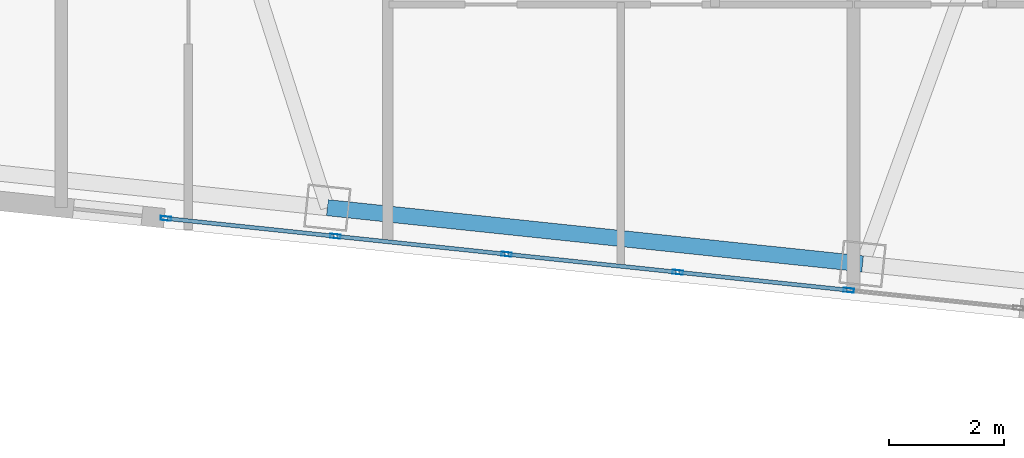
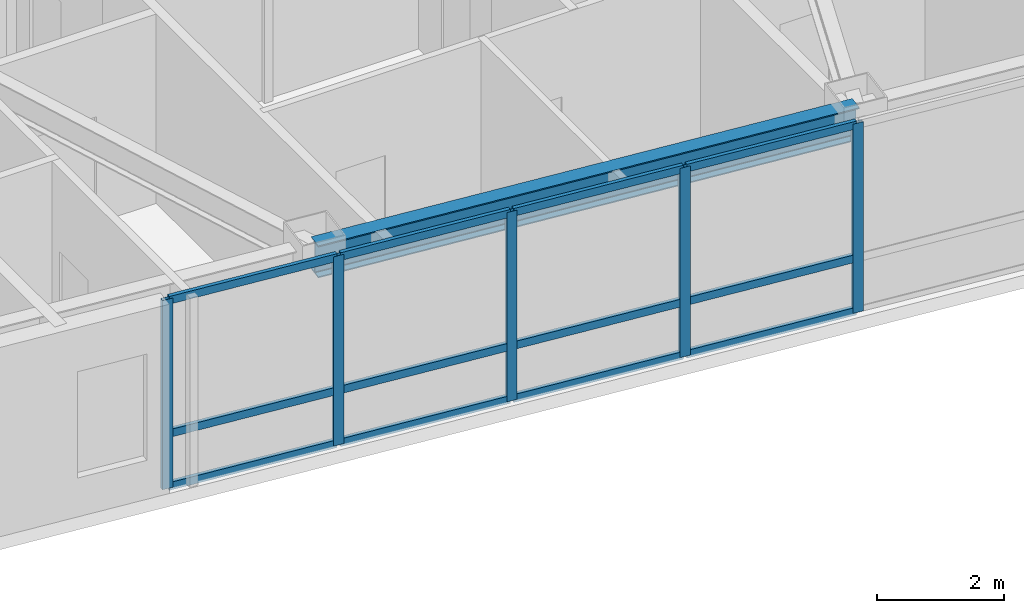
# One storey, part 2 of 23: 17 members, 1 beam, 1 element without a shape of its own.
"""IFC4 building model written with IfcOpenShell, lengths in metres."""

from ifc_helpers import new_model, si_unit, direction, frame, origin, origin_2d, place, context, subcontext, project, spatial, hollow_rectangle, i_section, extrude, material, layer, layer_set, material_profile, profile_set, type_object, element, aggregate, save


model = new_model("IFC4")

# Units and contexts
model_context = context("Model", 3, precision=1e-05, world=origin(), true_north=direction((0.0, 1.0)))
body_context = subcontext(model_context, "Body", "Model", "MODEL_VIEW")
ifc_project = project(units=[si_unit("LENGTHUNIT", "METRE"), si_unit("AREAUNIT", "SQUARE_METRE"), si_unit("VOLUMEUNIT", "CUBIC_METRE"), si_unit("PLANEANGLEUNIT", "RADIAN"), si_unit("MASSUNIT", "GRAM", prefix="KILO")], contexts=[model_context])

# Site, building, storey
site_placement = place(None, origin())
site = spatial("IfcSite", under=ifc_project, at=site_placement, CompositionType="ELEMENT")
building_placement = place(site_placement, origin())
building = spatial("IfcBuilding", under=site, at=building_placement, Name="Voryun Gate Residences", CompositionType="ELEMENT")
storey_placement = place(building_placement, frame((0.0, 0.0, 275.60009765625)))
storey = spatial("IfcBuildingStorey", under=building, at=storey_placement, Name="L68", CompositionType="ELEMENT", Elevation=275.60009765625)

# Beam
ifc_material_1 = material(Name="Steel SM355", Category="steel")
ifc_material_profile_1 = material_profile(ifc_material_1, i_section(OverallWidth=0.280029296875, OverallDepth=0.6201171875, WebThickness=0.013916015625, FlangeThickness=0.02197265625, FilletRadius=0.01806640625, at=origin_2d()), Name="H-620x280x14x22")
ifc_profile_set_1 = profile_set([ifc_material_profile_1], Name="Steel SM355")
beam_type = type_object("IfcBeamType", Name="BM_EXO_SPANDREL_H", PredefinedType="SPANDREL", material=ifc_profile_set_1)
beam_placement = place(storey_placement, frame((-9.151611328125, -17.561279296875, 3.33984375), z_axis=(0.994520592114, -0.104540862157, 0.0), x_axis=(0.104540862157, 0.994520592114, 0.0)))
element("IfcBeam", 1, at=beam_placement, inside=storey, type_object=beam_type, Name="BM-L68-SPAND-03", PredefinedType="SPANDREL", context=body_context, shape_type="SweptSolid", body=[
    extrude(i_section(OverallWidth=0.280029296875, OverallDepth=0.6201171875, WebThickness=0.013916015625, FlangeThickness=0.02197265625, FilletRadius=0.01806640625, at=origin_2d()), origin(), (0.0, 0.0, 1.0), 9.360107421875),
])

# Curtain wall, members
ifc_material_2 = material(Name="Anodised aluminium", Category="aluminium")
ifc_layer = layer(ifc_material_2, 0.18994140625, Name="CW_SYS_RES_B_DARK_GLASS")
ifc_layer_set = layer_set([ifc_layer], Name="Anodised aluminium")
curtain_wall_type = type_object("IfcCurtainWallType", Name="CW_SYS_RES_B_DARK_GLASS", PredefinedType="NOTDEFINED", material=ifc_layer_set)
curtain_wall_placement = place(storey_placement, origin())
curtain_wall = element("IfcCurtainWall", 2, at=curtain_wall_placement, inside=storey, type_object=curtain_wall_type, Name="Curtain wall CWT-L68-01", PredefinedType="NOTDEFINED")
ifc_material_3 = material(Name="Anodised aluminium", Category="aluminium")
ifc_material_profile_2 = material_profile(ifc_material_3, hollow_rectangle(XDim=0.070068359375, YDim=0.179931640625, WallThickness=0.00390625, at=origin_2d()), Name="ALU-MULL-180x70x4")
ifc_profile_set_2 = profile_set([ifc_material_profile_2], Name="Anodised aluminium")
member_type_1 = type_object("IfcMemberType", Name="CW_MULL_RES", PredefinedType="MULLION", material=ifc_profile_set_2)
member_1_placement = place(storey_placement, frame((-0.082275390625, -18.997314453125, 0.0), z_axis=(0.0, 0.0, 1.0), x_axis=(-0.104528604386, -0.994521880536, 0.0)))
member_1 = element("IfcMember", 3, at=member_1_placement, type_object=member_type_1, Name="CW4 mullion 2", PredefinedType="MULLION", context=body_context, shape_type="SweptSolid", body=[
    extrude(hollow_rectangle(XDim=0.070068359375, YDim=0.179931640625, WallThickness=0.00390625, at=origin_2d()), origin(), (0.0, 0.0, 1.0), 3.64990234375),
])
member_2_placement = place(storey_placement, frame((-3.05908203125, -18.684326171875, 0.0), z_axis=(0.0, 0.0, 1.0), x_axis=(-0.104528604386, -0.994521880536, 0.0)))
member_2 = element("IfcMember", 4, at=member_2_placement, type_object=member_type_1, Name="CW4 mullion 3", PredefinedType="MULLION", context=body_context, shape_type="SweptSolid", body=[
    extrude(hollow_rectangle(XDim=0.070068359375, YDim=0.179931640625, WallThickness=0.00390625, at=origin_2d()), origin(), (0.0, 0.0, 1.0), 3.64990234375),
])
member_3_placement = place(storey_placement, frame((-6.03564453125, -18.37158203125, 0.0), z_axis=(0.0, 0.0, 1.0), x_axis=(-0.104528604386, -0.994521880536, 0.0)))
member_3 = element("IfcMember", 5, at=member_3_placement, type_object=member_type_1, Name="CW4 mullion 4", PredefinedType="MULLION", context=body_context, shape_type="SweptSolid", body=[
    extrude(hollow_rectangle(XDim=0.070068359375, YDim=0.179931640625, WallThickness=0.00390625, at=origin_2d()), origin(), (0.0, 0.0, 1.0), 3.64990234375),
])
member_4_placement = place(storey_placement, frame((-9.012451171875, -18.05859375, 0.0), z_axis=(0.0, 0.0, 1.0), x_axis=(-0.104528604386, -0.994521880536, 0.0)))
member_4 = element("IfcMember", 6, at=member_4_placement, type_object=member_type_1, Name="CW4 mullion 5", PredefinedType="MULLION", context=body_context, shape_type="SweptSolid", body=[
    extrude(hollow_rectangle(XDim=0.070068359375, YDim=0.179931640625, WallThickness=0.00390625, at=origin_2d()), origin(), (0.0, 0.0, 1.0), 3.64990234375),
])
member_5_placement = place(storey_placement, frame((-11.959228515625, -17.7490234375, 0.0), z_axis=(0.0, 0.0, 1.0), x_axis=(-0.104528604386, -0.994521880536, 0.0)))
member_5 = element("IfcMember", 7, at=member_5_placement, type_object=member_type_1, Name="CW4 mullion 6", PredefinedType="MULLION", context=body_context, shape_type="SweptSolid", body=[
    extrude(hollow_rectangle(XDim=0.070068359375, YDim=0.179931640625, WallThickness=0.00390625, at=origin_2d()), origin(), (0.0, 0.0, 1.0), 3.64990234375),
])
ifc_material_4 = material(Name="Anodised aluminium", Category="aluminium")
ifc_material_profile_3 = material_profile(ifc_material_4, hollow_rectangle(XDim=0.070068359375, YDim=0.14990234375, WallThickness=0.00390625, at=origin_2d()), Name="ALU-TRAN-150x70x4")
ifc_profile_set_3 = profile_set([ifc_material_profile_3], Name="Anodised aluminium")
member_type_2 = type_object("IfcMemberType", Name="CW_TRAN_RES", PredefinedType="USERDEFINED", material=ifc_profile_set_3)
member_6_placement = place(storey_placement, frame((-0.1123046875, -18.994140625, 0.02978515625), z_axis=(-0.994520038301, 0.104546130575, 0.0), x_axis=(-0.104546130575, -0.994520038301, 0.0)))
member_6 = element("IfcMember", 8, at=member_6_placement, type_object=member_type_2, Name="CW4 transom 2.1", ObjectType="TRANSOM", PredefinedType="USERDEFINED", context=body_context, shape_type="SweptSolid", body=[
    extrude(hollow_rectangle(XDim=0.070068359375, YDim=0.14990234375, WallThickness=0.00390625, at=origin_2d()), origin(), (0.0, 0.0, 1.0), 2.93310546875),
])
member_7_placement = place(storey_placement, frame((-0.1123046875, -18.994140625, 1.0498046875), z_axis=(-0.994520038301, 0.104546130575, 0.0), x_axis=(-0.104546130575, -0.994520038301, 0.0)))
member_7 = element("IfcMember", 9, at=member_7_placement, type_object=member_type_2, Name="CW4 transom 2.2", ObjectType="TRANSOM", PredefinedType="USERDEFINED", context=body_context, shape_type="SweptSolid", body=[
    extrude(hollow_rectangle(XDim=0.070068359375, YDim=0.14990234375, WallThickness=0.00390625, at=origin_2d()), origin(), (0.0, 0.0, 1.0), 2.93310546875),
])
member_8_placement = place(storey_placement, frame((-0.1123046875, -18.994140625, 3.619873046875), z_axis=(-0.994520038301, 0.104546130575, 0.0), x_axis=(-0.104546130575, -0.994520038301, 0.0)))
member_8 = element("IfcMember", 10, at=member_8_placement, type_object=member_type_2, Name="CW4 transom 2.3", ObjectType="TRANSOM", PredefinedType="USERDEFINED", context=body_context, shape_type="SweptSolid", body=[
    extrude(hollow_rectangle(XDim=0.070068359375, YDim=0.14990234375, WallThickness=0.00390625, at=origin_2d()), origin(), (0.0, 0.0, 1.0), 2.93310546875),
])
member_9_placement = place(storey_placement, frame((-3.0888671875, -18.68115234375, 0.02978515625), z_axis=(-0.994528689425, 0.104463801911, 0.0), x_axis=(-0.104463801911, -0.994528689425, 0.0)))
member_9 = element("IfcMember", 11, at=member_9_placement, type_object=member_type_2, Name="CW4 transom 3.1", ObjectType="TRANSOM", PredefinedType="USERDEFINED", context=body_context, shape_type="SweptSolid", body=[
    extrude(hollow_rectangle(XDim=0.070068359375, YDim=0.14990234375, WallThickness=0.00390625, at=origin_2d()), origin(), (0.0, 0.0, 1.0), 2.93310546875),
])
member_10_placement = place(storey_placement, frame((-3.0888671875, -18.68115234375, 1.0498046875), z_axis=(-0.994528689425, 0.104463801911, 0.0), x_axis=(-0.104463801911, -0.994528689425, 0.0)))
member_10 = element("IfcMember", 12, at=member_10_placement, type_object=member_type_2, Name="CW4 transom 3.2", ObjectType="TRANSOM", PredefinedType="USERDEFINED", context=body_context, shape_type="SweptSolid", body=[
    extrude(hollow_rectangle(XDim=0.070068359375, YDim=0.14990234375, WallThickness=0.00390625, at=origin_2d()), origin(), (0.0, 0.0, 1.0), 2.93310546875),
])
member_11_placement = place(storey_placement, frame((-3.0888671875, -18.68115234375, 3.619873046875), z_axis=(-0.994528689425, 0.104463801911, 0.0), x_axis=(-0.104463801911, -0.994528689425, 0.0)))
member_11 = element("IfcMember", 13, at=member_11_placement, type_object=member_type_2, Name="CW4 transom 3.3", ObjectType="TRANSOM", PredefinedType="USERDEFINED", context=body_context, shape_type="SweptSolid", body=[
    extrude(hollow_rectangle(XDim=0.070068359375, YDim=0.14990234375, WallThickness=0.00390625, at=origin_2d()), origin(), (0.0, 0.0, 1.0), 2.93310546875),
])
member_12_placement = place(storey_placement, frame((-6.0654296875, -18.368408203125, 0.02978515625), z_axis=(-0.994520038301, 0.104546130575, 0.0), x_axis=(-0.104546130575, -0.994520038301, 0.0)))
member_12 = element("IfcMember", 14, at=member_12_placement, type_object=member_type_2, Name="CW4 transom 4.1", ObjectType="TRANSOM", PredefinedType="USERDEFINED", context=body_context, shape_type="SweptSolid", body=[
    extrude(hollow_rectangle(XDim=0.070068359375, YDim=0.14990234375, WallThickness=0.00390625, at=origin_2d()), origin(), (0.0, 0.0, 1.0), 2.93310546875),
])
member_13_placement = place(storey_placement, frame((-6.0654296875, -18.368408203125, 1.0498046875), z_axis=(-0.994520038301, 0.104546130575, 0.0), x_axis=(-0.104546130575, -0.994520038301, 0.0)))
member_13 = element("IfcMember", 15, at=member_13_placement, type_object=member_type_2, Name="CW4 transom 4.2", ObjectType="TRANSOM", PredefinedType="USERDEFINED", context=body_context, shape_type="SweptSolid", body=[
    extrude(hollow_rectangle(XDim=0.070068359375, YDim=0.14990234375, WallThickness=0.00390625, at=origin_2d()), origin(), (0.0, 0.0, 1.0), 2.93310546875),
])
member_14_placement = place(storey_placement, frame((-6.0654296875, -18.368408203125, 3.619873046875), z_axis=(-0.994520038301, 0.104546130575, 0.0), x_axis=(-0.104546130575, -0.994520038301, 0.0)))
member_14 = element("IfcMember", 16, at=member_14_placement, type_object=member_type_2, Name="CW4 transom 4.3", ObjectType="TRANSOM", PredefinedType="USERDEFINED", context=body_context, shape_type="SweptSolid", body=[
    extrude(hollow_rectangle(XDim=0.070068359375, YDim=0.14990234375, WallThickness=0.00390625, at=origin_2d()), origin(), (0.0, 0.0, 1.0), 2.93310546875),
])
member_15_placement = place(storey_placement, frame((-9.042236328125, -18.055419921875, 0.02978515625), z_axis=(-0.994521569156, 0.104531566925, 0.0), x_axis=(-0.104531566925, -0.994521569156, 0.0)))
member_15 = element("IfcMember", 17, at=member_15_placement, type_object=member_type_2, Name="CW4 transom 5.1", ObjectType="TRANSOM", PredefinedType="USERDEFINED", context=body_context, shape_type="SweptSolid", body=[
    extrude(hollow_rectangle(XDim=0.070068359375, YDim=0.14990234375, WallThickness=0.00390625, at=origin_2d()), origin(), (0.0, 0.0, 1.0), 2.903076171875),
])
member_16_placement = place(storey_placement, frame((-9.042236328125, -18.055419921875, 1.0498046875), z_axis=(-0.994521569156, 0.104531566925, 0.0), x_axis=(-0.104531566925, -0.994521569156, 0.0)))
member_16 = element("IfcMember", 18, at=member_16_placement, type_object=member_type_2, Name="CW4 transom 5.2", ObjectType="TRANSOM", PredefinedType="USERDEFINED", context=body_context, shape_type="SweptSolid", body=[
    extrude(hollow_rectangle(XDim=0.070068359375, YDim=0.14990234375, WallThickness=0.00390625, at=origin_2d()), origin(), (0.0, 0.0, 1.0), 2.903076171875),
])
member_17_placement = place(storey_placement, frame((-9.042236328125, -18.055419921875, 3.619873046875), z_axis=(-0.994521569156, 0.104531566925, 0.0), x_axis=(-0.104531566925, -0.994521569156, 0.0)))
member_17 = element("IfcMember", 19, at=member_17_placement, type_object=member_type_2, Name="CW4 transom 5.3", ObjectType="TRANSOM", PredefinedType="USERDEFINED", context=body_context, shape_type="SweptSolid", body=[
    extrude(hollow_rectangle(XDim=0.070068359375, YDim=0.14990234375, WallThickness=0.00390625, at=origin_2d()), origin(), (0.0, 0.0, 1.0), 2.903076171875),
])
aggregate(curtain_wall, [member_1, member_2, member_3, member_4, member_5, member_6, member_7, member_8, member_9, member_10, member_11, member_12, member_13, member_14, member_15, member_16, member_17])

save(model, "model.ifc")
